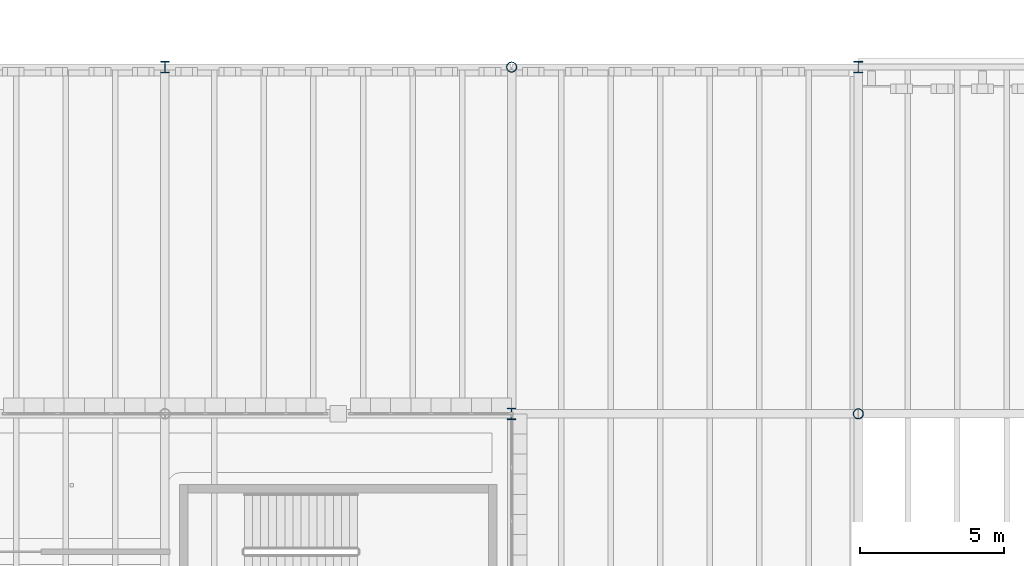
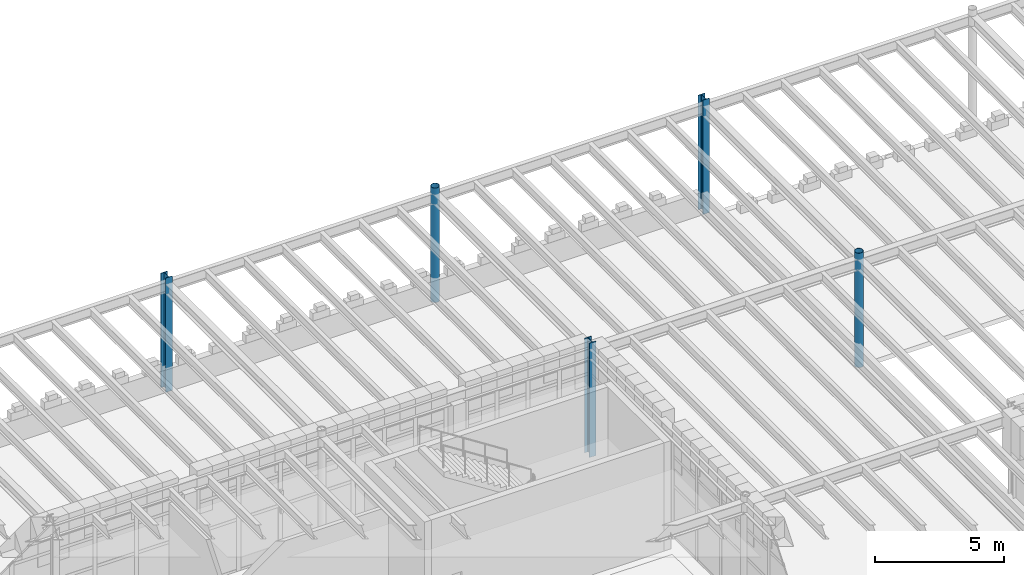
# One storey, part 7 of 100: 5 columns.
"""IFC4 building model written with IfcOpenShell, lengths in metres."""

from ifc_helpers import new_model, si_unit, direction, frame, origin, origin_2d, place, context, subcontext, project, spatial, hollow_circle, i_section, extrude, material, material_profile, profile_set, type_object, element, save


model = new_model("IFC4")

# Units and contexts
model_context = context("Model", 3, precision=1e-05, world=origin(), true_north=direction((0.0, 1.0)))
body_context = subcontext(model_context, "Body", "Model", "MODEL_VIEW")
ifc_project = project(units=[si_unit("LENGTHUNIT", "METRE"), si_unit("AREAUNIT", "SQUARE_METRE"), si_unit("VOLUMEUNIT", "CUBIC_METRE"), si_unit("PLANEANGLEUNIT", "RADIAN"), si_unit("MASSUNIT", "GRAM", prefix="KILO")], contexts=[model_context])

# Site, building, storey
site_placement = place(None, origin())
site = spatial("IfcSite", under=ifc_project, at=site_placement, CompositionType="ELEMENT")
building_placement = place(site_placement, origin())
building = spatial("IfcBuilding", under=site, at=building_placement, Name="Zlatogorsky Bluff Art Gallery", CompositionType="ELEMENT")
storey_placement = place(building_placement, frame((0.0, 0.0, 5.39990234375)))
storey = spatial("IfcBuildingStorey", under=building, at=storey_placement, Name="L01", CompositionType="ELEMENT", Elevation=5.39990234375)

# Columns
ifc_material = material(Name="Steel S355", Category="steel")
ifc_material_profile_1 = material_profile(ifc_material, i_section(OverallWidth=0.300048828125, OverallDepth=0.39990234375, WebThickness=0.013427734375, FlangeThickness=0.02392578125, FilletRadius=0.027099609375, at=origin_2d()), Name="HEB 400")
ifc_profile_set_1 = profile_set([ifc_material_profile_1], Name="Steel S355")
column_type_1 = type_object("IfcColumnType", Name="Column CL-04 HEB 400", PredefinedType="COLUMN", material=ifc_profile_set_1)
for number, where, z_axis, x_axis, name in (
    (1, (36.0, 120.0, 0.0), (0.0, 0.0, 1.0), (1.0, 0.0, 0.0), "Column CL-04 L01 D12"),
    (2, (48.0, 108.0, 0.0), (0.0, 0.0, 1.0), (1.0, 0.0, 0.0), "Column CL-04 L01 E11"),
    (3, (60.0, 120.0, 0.0), (0.0, 0.0, 1.0), (1.0, 0.0, 0.0), "Column CL-04 L01 F12"),
):
    element("IfcColumn", number, at=place(storey_placement, frame(where, z_axis=z_axis, x_axis=x_axis)), inside=storey, type_object=column_type_1, Name=name, PredefinedType="COLUMN", context=body_context, shape_type="SweptSolid", body=[
        extrude(i_section(OverallWidth=0.300048828125, OverallDepth=0.39990234375, WebThickness=0.013427734375, FlangeThickness=0.02392578125, FilletRadius=0.027099609375, at=origin_2d()), origin(), (0.0, 0.0, 1.0), 5.400146484375),
    ])
ifc_material_profile_2 = material_profile(ifc_material, hollow_circle(Radius=0.177734375, WallThickness=0.01611328125, at=origin_2d()), Name="CHS 355.6x16")
ifc_profile_set_2 = profile_set([ifc_material_profile_2], Name="Steel S355")
column_type_2 = type_object("IfcColumnType", Name="Column CL-10 CHS 355.6x16", PredefinedType="COLUMN", material=ifc_profile_set_2)
for number, where, z_axis, x_axis, name in (
    (4, (48.0, 120.0, 0.0), (0.0, 0.0, 1.0), (1.0, 0.0, 0.0), "Column CL-10 L01 E12"),
    (5, (60.0, 108.0, 0.0), (0.0, 0.0, 1.0), (1.0, 0.0, 0.0), "Column CL-10 L01 F11"),
):
    element("IfcColumn", number, at=place(storey_placement, frame(where, z_axis=z_axis, x_axis=x_axis)), inside=storey, type_object=column_type_2, Name=name, PredefinedType="COLUMN", context=body_context, shape_type="SweptSolid", body=[
        extrude(hollow_circle(Radius=0.177734375, WallThickness=0.01611328125, at=origin_2d()), origin(), (0.0, 0.0, 1.0), 5.400146484375),
    ])

save(model, "model.ifc")
